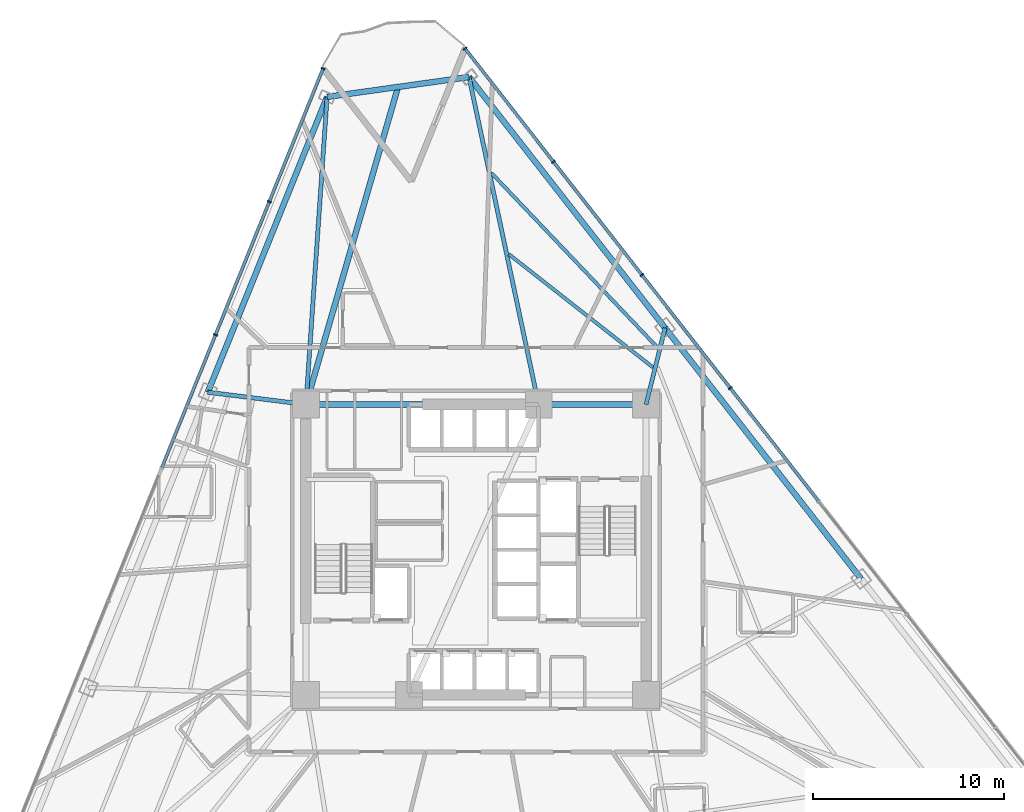
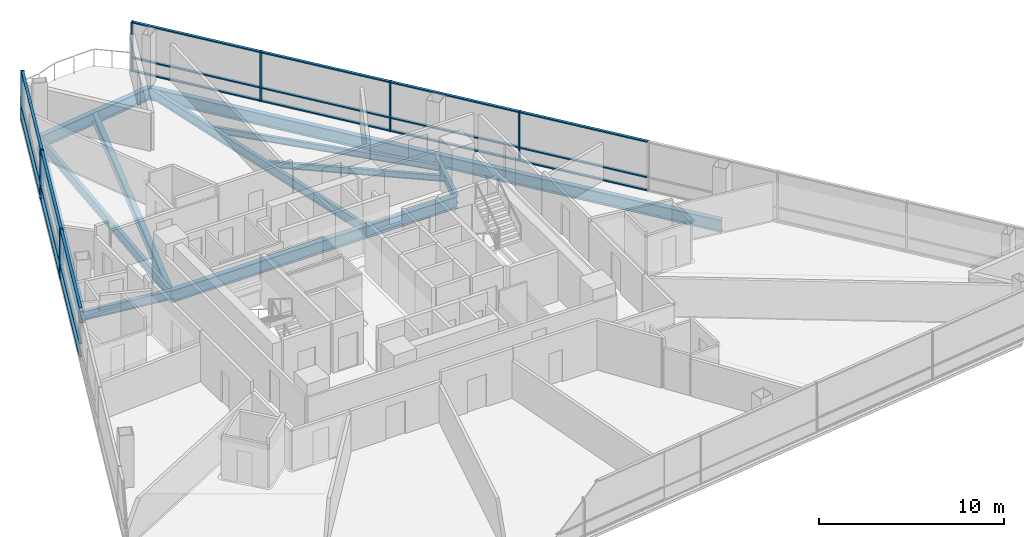
# One storey, part 5 of 15: 28 members, 13 beams, 2 elements without a shape of their own.
"""IFC4 building model written with IfcOpenShell, lengths in metres."""

from ifc_helpers import new_model, si_unit, direction, frame, origin, origin_2d, place, context, subcontext, project, spatial, rectangle, i_section, extrude, material, layer, layer_set, material_profile, profile_set, type_object, element, aggregate, save


model = new_model("IFC4")

# Units and contexts
model_context = context("Model", 3, precision=1e-05, world=origin(), true_north=direction((0.0, 1.0)))
body_context = subcontext(model_context, "Body", "Model", "MODEL_VIEW")
ifc_project = project(units=[si_unit("LENGTHUNIT", "METRE"), si_unit("AREAUNIT", "SQUARE_METRE"), si_unit("VOLUMEUNIT", "CUBIC_METRE"), si_unit("PLANEANGLEUNIT", "RADIAN"), si_unit("MASSUNIT", "GRAM", prefix="KILO")], contexts=[model_context])

# Site, building, storey
site_placement = place(None, origin())
site = spatial("IfcSite", under=ifc_project, at=site_placement, CompositionType="ELEMENT")
building_placement = place(site_placement, origin())
building = spatial("IfcBuilding", under=site, at=building_placement, Name="Tharavind Bronze Gate", CompositionType="ELEMENT")
storey_placement = place(building_placement, frame((0.0, 0.0, 67.300048828125)))
storey = spatial("IfcBuildingStorey", under=building, at=storey_placement, Name="L16", CompositionType="ELEMENT", Elevation=67.300048828125)

# Curtain wall, members
ifc_material_1 = material(Name="Anodised Bronze Aluminium", Category="aluminium")
ifc_layer = layer(ifc_material_1, 0.219970703125)
ifc_layer_set = layer_set([ifc_layer], Name="Anodised Bronze Aluminium")
curtain_wall_type = type_object("IfcCurtainWallType", Name="UNITISED CURTAIN WALL HOTEL", PredefinedType="USERDEFINED", material=ifc_layer_set)
curtain_wall_1_placement = place(storey_placement, origin())
curtain_wall_1 = element("IfcCurtainWall", 1, at=curtain_wall_1_placement, inside=storey, type_object=curtain_wall_type, Name="L16 unitised curtain wall hotel CW-L16-S1", ObjectType="UNITISED CURTAIN WALL", PredefinedType="USERDEFINED")
member_type_1 = type_object("IfcMemberType", Name="CURTAIN WALL MULLION 80X220", PredefinedType="MULLION", material=ifc_material_1)
member_1_placement = place(storey_placement, frame((-8.000732421875, 25.18310546875, 0.0), z_axis=(0.0, 0.0, 1.0), x_axis=(-0.374606593416, -0.927183854567, 0.0)))
member_1 = element("IfcMember", 2, at=member_1_placement, type_object=member_type_1, Name="CW-L16-S1 mullion 1", PredefinedType="MULLION", context=body_context, shape_type="SweptSolid", body=[
    extrude(rectangle(XDim=0.080078125, YDim=0.219970703125, at=origin_2d()), origin(), (0.0, 0.0, 1.0), 3.27490234375),
])
member_2_placement = place(storey_placement, frame((-10.81591796875, 18.215087890625, 0.0), z_axis=(0.0, 0.0, 1.0), x_axis=(-0.374606593416, -0.927183854567, 0.0)))
member_2 = element("IfcMember", 3, at=member_2_placement, type_object=member_type_1, Name="CW-L16-S1 mullion 2", PredefinedType="MULLION", context=body_context, shape_type="SweptSolid", body=[
    extrude(rectangle(XDim=0.080078125, YDim=0.219970703125, at=origin_2d()), origin(), (0.0, 0.0, 1.0), 3.27490234375),
])
member_3_placement = place(storey_placement, frame((-13.631103515625, 11.247314453125, 0.0), z_axis=(0.0, 0.0, 1.0), x_axis=(-0.374606593416, -0.927183854567, 0.0)))
member_3 = element("IfcMember", 4, at=member_3_placement, type_object=member_type_1, Name="CW-L16-S1 mullion 3", PredefinedType="MULLION", context=body_context, shape_type="SweptSolid", body=[
    extrude(rectangle(XDim=0.080078125, YDim=0.219970703125, at=origin_2d()), origin(), (0.0, 0.0, 1.0), 3.27490234375),
])

curtain_wall_2_placement = place(storey_placement, origin())
curtain_wall_2 = element("IfcCurtainWall", 5, at=curtain_wall_2_placement, inside=storey, type_object=curtain_wall_type, Name="L16 unitised curtain wall hotel CW-L16-S3", ObjectType="UNITISED CURTAIN WALL", PredefinedType="USERDEFINED")
member_4_placement = place(storey_placement, frame((13.306396484375, 8.4609375, 0.0), z_axis=(0.0, 0.0, 1.0), x_axis=(-0.615661475326, 0.788010753607, 0.0)))
member_4 = element("IfcMember", 6, at=member_4_placement, type_object=member_type_1, Name="CW-L16-S3 mullion 5", PredefinedType="MULLION", context=body_context, shape_type="SweptSolid", body=[
    extrude(rectangle(XDim=0.080078125, YDim=0.219970703125, at=origin_2d()), origin(), (0.0, 0.0, 1.0), 3.27490234375),
])
member_5_placement = place(storey_placement, frame((8.6796875, 14.383056640625, 0.0), z_axis=(0.0, 0.0, 1.0), x_axis=(-0.615661475326, 0.788010753607, 0.0)))
member_5 = element("IfcMember", 7, at=member_5_placement, type_object=member_type_1, Name="CW-L16-S3 mullion 6", PredefinedType="MULLION", context=body_context, shape_type="SweptSolid", body=[
    extrude(rectangle(XDim=0.080078125, YDim=0.219970703125, at=origin_2d()), origin(), (0.0, 0.0, 1.0), 3.27490234375),
])
member_6_placement = place(storey_placement, frame((4.052978515625, 20.304931640625, 0.0), z_axis=(0.0, 0.0, 1.0), x_axis=(-0.615661475326, 0.788010753607, 0.0)))
member_6 = element("IfcMember", 8, at=member_6_placement, type_object=member_type_1, Name="CW-L16-S3 mullion 7", PredefinedType="MULLION", context=body_context, shape_type="SweptSolid", body=[
    extrude(rectangle(XDim=0.080078125, YDim=0.219970703125, at=origin_2d()), origin(), (0.0, 0.0, 1.0), 3.27490234375),
])
member_7_placement = place(storey_placement, frame((-0.57373046875, 26.226806640625, 0.0), z_axis=(0.0, 0.0, 1.0), x_axis=(-0.615661475326, 0.788010753607, 0.0)))
member_7 = element("IfcMember", 9, at=member_7_placement, type_object=member_type_1, Name="CW-L16-S3 mullion 8", PredefinedType="MULLION", context=body_context, shape_type="SweptSolid", body=[
    extrude(rectangle(XDim=0.080078125, YDim=0.219970703125, at=origin_2d()), origin(), (0.0, 0.0, 1.0), 3.27490234375),
])

# Member
member_type_2 = type_object("IfcMemberType", Name="CURTAIN WALL TRANSOM 80X160", PredefinedType="USERDEFINED", material=ifc_material_1)
member_8_placement = place(storey_placement, frame((-9.408203125, 21.69921875, 0.0), z_axis=(0.0, 0.0, 1.0), x_axis=(-0.374606593416, -0.927183854567, 0.0)))
member_8 = element("IfcMember", 10, at=member_8_placement, type_object=member_type_2, Name="CW-L16-S1 transom TB1", ObjectType="TRANSOM", PredefinedType="USERDEFINED", context=body_context, shape_type="SweptSolid", body=[
    extrude(rectangle(XDim=7.447021484375, YDim=0.159912109375, at=origin_2d()), origin(), (0.0, 0.0, 1.0), 0.080078125),
])

member_9_placement = place(storey_placement, frame((-9.408203125, 21.69921875, 0.85986328125), z_axis=(0.0, 0.0, 1.0), x_axis=(-0.374606593416, -0.927183854567, 0.0)))
member_9 = element("IfcMember", 11, at=member_9_placement, type_object=member_type_2, Name="CW-L16-S1 transom TS1", ObjectType="TRANSOM", PredefinedType="USERDEFINED", context=body_context, shape_type="SweptSolid", body=[
    extrude(rectangle(XDim=7.447021484375, YDim=0.159912109375, at=origin_2d()), origin(), (0.0, 0.0, 1.0), 0.080078125),
])

member_10_placement = place(storey_placement, frame((-9.408203125, 21.69921875, 3.19482421875), z_axis=(0.0, 0.0, 1.0), x_axis=(-0.374606593416, -0.927183854567, 0.0)))
member_10 = element("IfcMember", 12, at=member_10_placement, type_object=member_type_2, Name="CW-L16-S1 transom TT1", ObjectType="TRANSOM", PredefinedType="USERDEFINED", context=body_context, shape_type="SweptSolid", body=[
    extrude(rectangle(XDim=7.447021484375, YDim=0.159912109375, at=origin_2d()), origin(), (0.0, 0.0, 1.0), 0.080078125),
])

member_11_placement = place(storey_placement, frame((-12.223388671875, 14.731201171875, 0.0), z_axis=(0.0, 0.0, 1.0), x_axis=(-0.374606593416, -0.927183854567, 0.0)))
member_11 = element("IfcMember", 13, at=member_11_placement, type_object=member_type_2, Name="CW-L16-S1 transom TB2", ObjectType="TRANSOM", PredefinedType="USERDEFINED", context=body_context, shape_type="SweptSolid", body=[
    extrude(rectangle(XDim=7.447021484375, YDim=0.159912109375, at=origin_2d()), origin(), (0.0, 0.0, 1.0), 0.080078125),
])

member_12_placement = place(storey_placement, frame((-12.223388671875, 14.731201171875, 0.85986328125), z_axis=(0.0, 0.0, 1.0), x_axis=(-0.374606593416, -0.927183854567, 0.0)))
member_12 = element("IfcMember", 14, at=member_12_placement, type_object=member_type_2, Name="CW-L16-S1 transom TS2", ObjectType="TRANSOM", PredefinedType="USERDEFINED", context=body_context, shape_type="SweptSolid", body=[
    extrude(rectangle(XDim=7.447021484375, YDim=0.159912109375, at=origin_2d()), origin(), (0.0, 0.0, 1.0), 0.080078125),
])

member_13_placement = place(storey_placement, frame((-12.223388671875, 14.731201171875, 3.19482421875), z_axis=(0.0, 0.0, 1.0), x_axis=(-0.374606593416, -0.927183854567, 0.0)))
member_13 = element("IfcMember", 15, at=member_13_placement, type_object=member_type_2, Name="CW-L16-S1 transom TT2", ObjectType="TRANSOM", PredefinedType="USERDEFINED", context=body_context, shape_type="SweptSolid", body=[
    extrude(rectangle(XDim=7.447021484375, YDim=0.159912109375, at=origin_2d()), origin(), (0.0, 0.0, 1.0), 0.080078125),
])

member_14_placement = place(storey_placement, frame((-15.038818359375, 7.763427734375, 0.0), z_axis=(0.0, 0.0, 1.0), x_axis=(-0.374606593416, -0.927183854567, 0.0)))
member_14 = element("IfcMember", 16, at=member_14_placement, type_object=member_type_2, Name="CW-L16-S1 transom TB3", ObjectType="TRANSOM", PredefinedType="USERDEFINED", context=body_context, shape_type="SweptSolid", body=[
    extrude(rectangle(XDim=7.447021484375, YDim=0.159912109375, at=origin_2d()), origin(), (0.0, 0.0, 1.0), 0.080078125),
])

member_15_placement = place(storey_placement, frame((-15.038818359375, 7.763427734375, 0.85986328125), z_axis=(0.0, 0.0, 1.0), x_axis=(-0.374606593416, -0.927183854567, 0.0)))
member_15 = element("IfcMember", 17, at=member_15_placement, type_object=member_type_2, Name="CW-L16-S1 transom TS3", ObjectType="TRANSOM", PredefinedType="USERDEFINED", context=body_context, shape_type="SweptSolid", body=[
    extrude(rectangle(XDim=7.447021484375, YDim=0.159912109375, at=origin_2d()), origin(), (0.0, 0.0, 1.0), 0.080078125),
])

member_16_placement = place(storey_placement, frame((-15.038818359375, 7.763427734375, 3.19482421875), z_axis=(0.0, 0.0, 1.0), x_axis=(-0.374606593416, -0.927183854567, 0.0)))
member_16 = element("IfcMember", 18, at=member_16_placement, type_object=member_type_2, Name="CW-L16-S1 transom TT3", ObjectType="TRANSOM", PredefinedType="USERDEFINED", context=body_context, shape_type="SweptSolid", body=[
    extrude(rectangle(XDim=7.447021484375, YDim=0.159912109375, at=origin_2d()), origin(), (0.0, 0.0, 1.0), 0.080078125),
])

aggregate(curtain_wall_1, [member_1, member_2, member_3, member_8, member_9, member_10, member_11, member_12, member_13, member_14, member_15, member_16])

member_17_placement = place(storey_placement, frame((15.619873046875, 5.5, 0.0), z_axis=(0.0, 0.0, 1.0), x_axis=(-0.615661475326, 0.788010753607, 0.0)))
member_17 = element("IfcMember", 19, at=member_17_placement, type_object=member_type_2, Name="CW-L16-S3 transom TB4", ObjectType="TRANSOM", PredefinedType="USERDEFINED", context=body_context, shape_type="SweptSolid", body=[
    extrude(rectangle(XDim=7.447021484375, YDim=0.159912109375, at=origin_2d()), origin(), (0.0, 0.0, 1.0), 0.080078125),
])

member_18_placement = place(storey_placement, frame((15.619873046875, 5.5, 0.85986328125), z_axis=(0.0, 0.0, 1.0), x_axis=(-0.615661475326, 0.788010753607, 0.0)))
member_18 = element("IfcMember", 20, at=member_18_placement, type_object=member_type_2, Name="CW-L16-S3 transom TS4", ObjectType="TRANSOM", PredefinedType="USERDEFINED", context=body_context, shape_type="SweptSolid", body=[
    extrude(rectangle(XDim=7.447021484375, YDim=0.159912109375, at=origin_2d()), origin(), (0.0, 0.0, 1.0), 0.080078125),
])

member_19_placement = place(storey_placement, frame((15.619873046875, 5.5, 3.19482421875), z_axis=(0.0, 0.0, 1.0), x_axis=(-0.615661475326, 0.788010753607, 0.0)))
member_19 = element("IfcMember", 21, at=member_19_placement, type_object=member_type_2, Name="CW-L16-S3 transom TT4", ObjectType="TRANSOM", PredefinedType="USERDEFINED", context=body_context, shape_type="SweptSolid", body=[
    extrude(rectangle(XDim=7.447021484375, YDim=0.159912109375, at=origin_2d()), origin(), (0.0, 0.0, 1.0), 0.080078125),
])

member_20_placement = place(storey_placement, frame((10.9931640625, 11.422119140625, 0.0), z_axis=(0.0, 0.0, 1.0), x_axis=(-0.615661475326, 0.788010753607, 0.0)))
member_20 = element("IfcMember", 22, at=member_20_placement, type_object=member_type_2, Name="CW-L16-S3 transom TB5", ObjectType="TRANSOM", PredefinedType="USERDEFINED", context=body_context, shape_type="SweptSolid", body=[
    extrude(rectangle(XDim=7.447021484375, YDim=0.159912109375, at=origin_2d()), origin(), (0.0, 0.0, 1.0), 0.080078125),
])

member_21_placement = place(storey_placement, frame((10.9931640625, 11.422119140625, 0.85986328125), z_axis=(0.0, 0.0, 1.0), x_axis=(-0.615661475326, 0.788010753607, 0.0)))
member_21 = element("IfcMember", 23, at=member_21_placement, type_object=member_type_2, Name="CW-L16-S3 transom TS5", ObjectType="TRANSOM", PredefinedType="USERDEFINED", context=body_context, shape_type="SweptSolid", body=[
    extrude(rectangle(XDim=7.447021484375, YDim=0.159912109375, at=origin_2d()), origin(), (0.0, 0.0, 1.0), 0.080078125),
])

member_22_placement = place(storey_placement, frame((10.9931640625, 11.422119140625, 3.19482421875), z_axis=(0.0, 0.0, 1.0), x_axis=(-0.615661475326, 0.788010753607, 0.0)))
member_22 = element("IfcMember", 24, at=member_22_placement, type_object=member_type_2, Name="CW-L16-S3 transom TT5", ObjectType="TRANSOM", PredefinedType="USERDEFINED", context=body_context, shape_type="SweptSolid", body=[
    extrude(rectangle(XDim=7.447021484375, YDim=0.159912109375, at=origin_2d()), origin(), (0.0, 0.0, 1.0), 0.080078125),
])

member_23_placement = place(storey_placement, frame((6.366455078125, 17.343994140625, 0.0), z_axis=(0.0, 0.0, 1.0), x_axis=(-0.615661475326, 0.788010753607, 0.0)))
member_23 = element("IfcMember", 25, at=member_23_placement, type_object=member_type_2, Name="CW-L16-S3 transom TB6", ObjectType="TRANSOM", PredefinedType="USERDEFINED", context=body_context, shape_type="SweptSolid", body=[
    extrude(rectangle(XDim=7.447021484375, YDim=0.159912109375, at=origin_2d()), origin(), (0.0, 0.0, 1.0), 0.080078125),
])

member_24_placement = place(storey_placement, frame((6.366455078125, 17.343994140625, 0.85986328125), z_axis=(0.0, 0.0, 1.0), x_axis=(-0.615661475326, 0.788010753607, 0.0)))
member_24 = element("IfcMember", 26, at=member_24_placement, type_object=member_type_2, Name="CW-L16-S3 transom TS6", ObjectType="TRANSOM", PredefinedType="USERDEFINED", context=body_context, shape_type="SweptSolid", body=[
    extrude(rectangle(XDim=7.447021484375, YDim=0.159912109375, at=origin_2d()), origin(), (0.0, 0.0, 1.0), 0.080078125),
])

member_25_placement = place(storey_placement, frame((6.366455078125, 17.343994140625, 3.19482421875), z_axis=(0.0, 0.0, 1.0), x_axis=(-0.615661475326, 0.788010753607, 0.0)))
member_25 = element("IfcMember", 27, at=member_25_placement, type_object=member_type_2, Name="CW-L16-S3 transom TT6", ObjectType="TRANSOM", PredefinedType="USERDEFINED", context=body_context, shape_type="SweptSolid", body=[
    extrude(rectangle(XDim=7.447021484375, YDim=0.159912109375, at=origin_2d()), origin(), (0.0, 0.0, 1.0), 0.080078125),
])

member_26_placement = place(storey_placement, frame((1.73974609375, 23.265869140625, 0.0), z_axis=(0.0, 0.0, 1.0), x_axis=(-0.615661475326, 0.788010753607, 0.0)))
member_26 = element("IfcMember", 28, at=member_26_placement, type_object=member_type_2, Name="CW-L16-S3 transom TB7", ObjectType="TRANSOM", PredefinedType="USERDEFINED", context=body_context, shape_type="SweptSolid", body=[
    extrude(rectangle(XDim=7.447021484375, YDim=0.159912109375, at=origin_2d()), origin(), (0.0, 0.0, 1.0), 0.080078125),
])

member_27_placement = place(storey_placement, frame((1.73974609375, 23.265869140625, 0.85986328125), z_axis=(0.0, 0.0, 1.0), x_axis=(-0.615661475326, 0.788010753607, 0.0)))
member_27 = element("IfcMember", 29, at=member_27_placement, type_object=member_type_2, Name="CW-L16-S3 transom TS7", ObjectType="TRANSOM", PredefinedType="USERDEFINED", context=body_context, shape_type="SweptSolid", body=[
    extrude(rectangle(XDim=7.447021484375, YDim=0.159912109375, at=origin_2d()), origin(), (0.0, 0.0, 1.0), 0.080078125),
])

member_28_placement = place(storey_placement, frame((1.73974609375, 23.265869140625, 3.19482421875), z_axis=(0.0, 0.0, 1.0), x_axis=(-0.615661475326, 0.788010753607, 0.0)))
member_28 = element("IfcMember", 30, at=member_28_placement, type_object=member_type_2, Name="CW-L16-S3 transom TT7", ObjectType="TRANSOM", PredefinedType="USERDEFINED", context=body_context, shape_type="SweptSolid", body=[
    extrude(rectangle(XDim=7.447021484375, YDim=0.159912109375, at=origin_2d()), origin(), (0.0, 0.0, 1.0), 0.080078125),
])

aggregate(curtain_wall_2, [member_4, member_5, member_6, member_7, member_17, member_18, member_19, member_20, member_21, member_22, member_23, member_24, member_25, member_26, member_27, member_28])

# Beams
ifc_material_2 = material(Name="Steel S355", Category="steel")
ifc_material_profile_1 = material_profile(ifc_material_2, i_section(OverallWidth=0.300048828125, OverallDepth=0.64990234375, WebThickness=0.01611328125, FlangeThickness=0.031005859375, at=origin_2d()), Name="HE650B")
ifc_profile_set_1 = profile_set([ifc_material_profile_1], Name="Steel S355")
beam_type_1 = type_object("IfcBeamType", Name="PRIMARY GIRDER HE650B", PredefinedType="USERDEFINED", material=ifc_profile_set_1)
beam_1_placement = place(storey_placement, frame((-8.89990234375, 7.60009765625, -0.5), z_axis=(0.278626347577, 0.960399582693, 0.0), x_axis=(-0.960399582693, 0.278626347577, 0.0)))
element("IfcBeam", 31, at=beam_1_placement, inside=storey, type_object=beam_type_1, Name="L16 primary girder he650b BM-L16-BLCSB", ObjectType="GIRDER", PredefinedType="USERDEFINED", context=body_context, shape_type="SweptSolid", body=[
    extrude(i_section(OverallWidth=0.300048828125, OverallDepth=0.64990234375, WebThickness=0.01611328125, FlangeThickness=0.031005859375, at=origin_2d()), origin(), (0.0, 0.0, 1.0), 17.3046875),
])
ifc_material_profile_2 = material_profile(ifc_material_2, i_section(OverallWidth=0.219970703125, OverallDepth=0.60009765625, WebThickness=0.011962890625, FlangeThickness=0.01904296875, at=origin_2d()), Name="IPE600")
ifc_profile_set_2 = profile_set([ifc_material_profile_2], Name="Steel S355")
beam_type_2 = type_object("IfcBeamType", Name="PRIMARY GIRDER IPE600", PredefinedType="USERDEFINED", material=ifc_profile_set_2)
beam_2_placement = place(storey_placement, frame((-7.7919921875, 23.69775390625, -0.47509765625), z_axis=(-0.06866188826, -0.997639987721, 0.0), x_axis=(0.997639987721, -0.06866188826, 0.0)))
element("IfcBeam", 32, at=beam_2_placement, inside=storey, type_object=beam_type_2, Name="L16 primary girder ipe600 BM-L16-RAD01", ObjectType="GIRDER", PredefinedType="USERDEFINED", context=body_context, shape_type="SweptSolid", body=[
    extrude(i_section(OverallWidth=0.219970703125, OverallDepth=0.60009765625, WebThickness=0.011962890625, FlangeThickness=0.01904296875, at=origin_2d()), origin(), (0.0, 0.0, 1.0), 16.1357421875),
])
beam_3_placement = place(storey_placement, frame((-14.036376953125, 8.2421875, -0.47509765625), z_axis=(0.992277151101, -0.124040539351, 0.0), x_axis=(0.124040539351, 0.992277151101, 0.0)))
element("IfcBeam", 33, at=beam_3_placement, inside=storey, type_object=beam_type_2, Name="L16 primary girder ipe600 BM-L16-RAD02", ObjectType="GIRDER", PredefinedType="USERDEFINED", context=body_context, shape_type="SweptSolid", body=[
    extrude(i_section(OverallWidth=0.219970703125, OverallDepth=0.60009765625, WebThickness=0.011962890625, FlangeThickness=0.01904296875, at=origin_2d()), origin(), (0.0, 0.0, 1.0), 5.176513671875),
])
beam_4_placement = place(storey_placement, frame((9.897705078125, 11.60595703125, -0.47509765625), z_axis=(-0.241700633281, -0.970350866373, 0.0), x_axis=(0.970350866373, -0.241700633281, 0.0)))
element("IfcBeam", 34, at=beam_4_placement, inside=storey, type_object=beam_type_2, Name="L16 primary girder ipe600 BM-L16-RAD11", ObjectType="GIRDER", PredefinedType="USERDEFINED", context=body_context, shape_type="SweptSolid", body=[
    extrude(i_section(OverallWidth=0.219970703125, OverallDepth=0.60009765625, WebThickness=0.011962890625, FlangeThickness=0.01904296875, at=origin_2d()), origin(), (0.0, 0.0, 1.0), 4.128173828125),
])
beam_5_placement = place(storey_placement, frame((-0.364990234375, 24.741455078125, -0.47509765625), z_axis=(0.207994213737, -0.978130056307, 0.0), x_axis=(0.978130056307, 0.207994213737, 0.0)))
element("IfcBeam", 35, at=beam_5_placement, inside=storey, type_object=beam_type_2, Name="L16 primary girder ipe600 BM-L16-RAD12", ObjectType="GIRDER", PredefinedType="USERDEFINED", context=body_context, shape_type="SweptSolid", body=[
    extrude(i_section(OverallWidth=0.219970703125, OverallDepth=0.60009765625, WebThickness=0.011962890625, FlangeThickness=0.01904296875, at=origin_2d()), origin(), (0.0, 0.0, 1.0), 17.524658203125),
])
ifc_material_profile_3 = material_profile(ifc_material_2, i_section(OverallWidth=0.300048828125, OverallDepth=0.800048828125, WebThickness=0.017578125, FlangeThickness=0.032958984375, at=origin_2d()), Name="HE800B")
ifc_profile_set_3 = profile_set([ifc_material_profile_3], Name="Steel S355")
beam_type_3 = type_object("IfcBeamType", Name="RING GIRDER HE800B", PredefinedType="USERDEFINED", material=ifc_profile_set_3)
beam_6_placement = place(storey_placement, frame((8.89990234375, 7.60009765625, -0.574951171875), z_axis=(-1.0, 0.0, 0.0), x_axis=(0.0, -1.0, 0.0)))
element("IfcBeam", 36, at=beam_6_placement, inside=storey, type_object=beam_type_3, Name="L16 ring girder he800b BM-L16-CR4", ObjectType="GIRDER", PredefinedType="USERDEFINED", context=body_context, shape_type="SweptSolid", body=[
    extrude(i_section(OverallWidth=0.300048828125, OverallDepth=0.800048828125, WebThickness=0.017578125, FlangeThickness=0.032958984375, at=origin_2d()), origin(), (0.0, 0.0, 1.0), 5.619873046875),
])
beam_7_placement = place(storey_placement, frame((3.280029296875, 7.60009765625, -0.574951171875), z_axis=(-1.0, 0.0, 0.0), x_axis=(0.0, -1.0, 0.0)))
element("IfcBeam", 37, at=beam_7_placement, inside=storey, type_object=beam_type_3, Name="L16 ring girder he800b BM-L16-CR5", ObjectType="GIRDER", PredefinedType="USERDEFINED", context=body_context, shape_type="SweptSolid", body=[
    extrude(i_section(OverallWidth=0.300048828125, OverallDepth=0.800048828125, WebThickness=0.017578125, FlangeThickness=0.032958984375, at=origin_2d()), origin(), (0.0, 0.0, 1.0), 12.179931640625),
])
beam_8_placement = place(storey_placement, frame((-7.7919921875, 23.69775390625, -0.574951171875), z_axis=(-0.374603014443, -0.927185300557, 0.0), x_axis=(0.927185300557, -0.374603014443, 0.0)))
element("IfcBeam", 38, at=beam_8_placement, inside=storey, type_object=beam_type_3, Name="L16 ring girder he800b BM-L16-PRG01", ObjectType="GIRDER", PredefinedType="USERDEFINED", context=body_context, shape_type="SweptSolid", body=[
    extrude(i_section(OverallWidth=0.300048828125, OverallDepth=0.800048828125, WebThickness=0.017578125, FlangeThickness=0.032958984375, at=origin_2d()), origin(), (0.0, 0.0, 1.0), 16.66943359375),
])
beam_9_placement = place(storey_placement, frame((20.16015625, -1.529296875, -0.574951171875), z_axis=(-0.615663937513, 0.788008829929, 0.0), x_axis=(-0.788008829929, -0.615663937513, 0.0)))
element("IfcBeam", 39, at=beam_9_placement, inside=storey, type_object=beam_type_3, Name="L16 ring girder he800b BM-L16-PRG10", ObjectType="GIRDER", PredefinedType="USERDEFINED", context=body_context, shape_type="SweptSolid", body=[
    extrude(i_section(OverallWidth=0.300048828125, OverallDepth=0.800048828125, WebThickness=0.017578125, FlangeThickness=0.032958984375, at=origin_2d()), origin(), (0.0, 0.0, 1.0), 16.6689453125),
])
beam_10_placement = place(storey_placement, frame((9.897705078125, 11.60595703125, -0.574951171875), z_axis=(-0.615665926595, 0.788007275873, 0.0), x_axis=(-0.788007275873, -0.615665926595, 0.0)))
element("IfcBeam", 40, at=beam_10_placement, inside=storey, type_object=beam_type_3, Name="L16 ring girder he800b BM-L16-PRG11", ObjectType="GIRDER", PredefinedType="USERDEFINED", context=body_context, shape_type="SweptSolid", body=[
    extrude(i_section(OverallWidth=0.300048828125, OverallDepth=0.800048828125, WebThickness=0.017578125, FlangeThickness=0.032958984375, at=origin_2d()), origin(), (0.0, 0.0, 1.0), 16.669189453125),
])
beam_11_placement = place(storey_placement, frame((-0.364990234375, 24.741455078125, -0.574951171875), z_axis=(-0.990269830577, -0.139160564272, 0.0), x_axis=(0.139160564272, -0.990269830577, 0.0)))
element("IfcBeam", 41, at=beam_11_placement, inside=storey, type_object=beam_type_3, Name="L16 ring girder he800b BM-L16-PRG12", ObjectType="GIRDER", PredefinedType="USERDEFINED", context=body_context, shape_type="SweptSolid", body=[
    extrude(i_section(OverallWidth=0.300048828125, OverallDepth=0.800048828125, WebThickness=0.017578125, FlangeThickness=0.032958984375, at=origin_2d()), origin(), (0.0, 0.0, 1.0), 7.5),
])
ifc_material_profile_4 = material_profile(ifc_material_2, i_section(OverallWidth=0.179931640625, OverallDepth=0.39990234375, WebThickness=0.008544921875, FlangeThickness=0.013427734375, at=origin_2d()), Name="IPE400")
ifc_profile_set_4 = profile_set([ifc_material_profile_4], Name="Steel S355")
beam_type_4 = type_object("IfcBeamType", Name="SECONDARY FLOOR JOIST IPE400", PredefinedType="JOIST", material=ifc_profile_set_4)
beam_12_placement = place(storey_placement, frame((9.265869140625, 9.539794921875, -0.375), z_axis=(-0.786502051984, 0.617587663595, 0.0), x_axis=(-0.617587663595, -0.786502051984, 0.0)))
element("IfcBeam", 42, at=beam_12_placement, inside=storey, type_object=beam_type_4, Name="L16 secondary floor joist ipe400 BM-L16-JSTA11", PredefinedType="JOIST", context=body_context, shape_type="SweptSolid", body=[
    extrude(i_section(OverallWidth=0.179931640625, OverallDepth=0.39990234375, WebThickness=0.008544921875, FlangeThickness=0.013427734375, at=origin_2d()), origin(), (0.0, 0.0, 1.0), 9.58984375),
])
beam_13_placement = place(storey_placement, frame((9.520751953125, 10.5615234375, -0.375), z_axis=(-0.689438692016, 0.724344041151, 0.0), x_axis=(-0.724344041151, -0.689438692016, 0.0)))
element("IfcBeam", 43, at=beam_13_placement, inside=storey, type_object=beam_type_4, Name="L16 secondary floor joist ipe400 BM-L16-JSTB11", PredefinedType="JOIST", context=body_context, shape_type="SweptSolid", body=[
    extrude(i_section(OverallWidth=0.179931640625, OverallDepth=0.39990234375, WebThickness=0.008544921875, FlangeThickness=0.013427734375, at=origin_2d()), origin(), (0.0, 0.0, 1.0), 12.617919921875),
])

save(model, "model.ifc")
